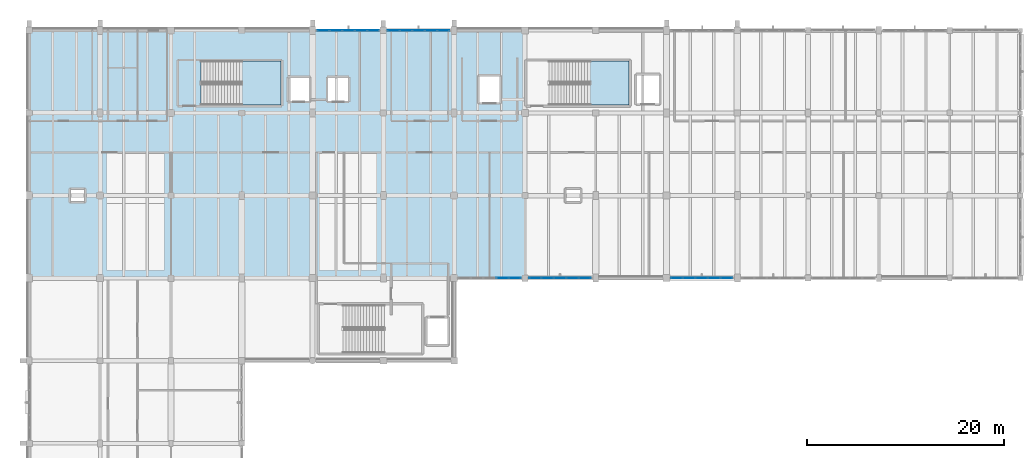
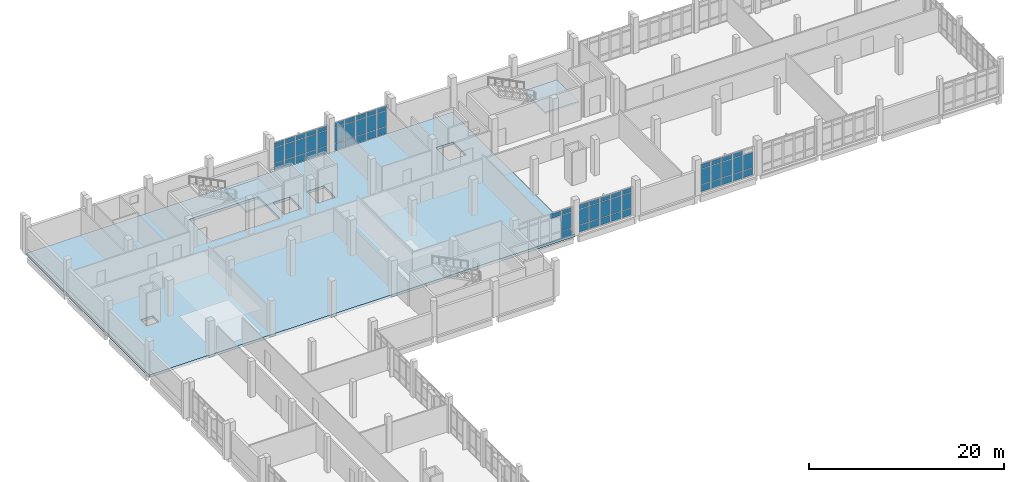
# One storey, part 43 of 57: 63 plates, 3 slabs, 7 elements without a shape of their own.
"""IFC4 building model written with IfcOpenShell, lengths in metres."""

from ifc_helpers import new_model, si_unit, direction, frame, origin, origin_2d, place, context, subcontext, project, spatial, polyline, rectangle, outline, extrude, material, layer, layer_set, type_object, element, aggregate, save


model = new_model("IFC4")

# Units and contexts
model_context = context("Model", 3, precision=1e-05, world=origin(), true_north=direction((0.0, 1.0)))
body_context = subcontext(model_context, "Body", "Model", "MODEL_VIEW")
ifc_project = project(units=[si_unit("LENGTHUNIT", "METRE"), si_unit("AREAUNIT", "SQUARE_METRE"), si_unit("VOLUMEUNIT", "CUBIC_METRE"), si_unit("PLANEANGLEUNIT", "RADIAN"), si_unit("MASSUNIT", "GRAM", prefix="KILO")], contexts=[model_context])

# Site, building, storey
site_placement = place(None, origin())
site = spatial("IfcSite", under=ifc_project, at=site_placement, CompositionType="ELEMENT")
building_placement = place(site_placement, origin())
building = spatial("IfcBuilding", under=site, at=building_placement, Name="Kalluvel Institute of Natural Sciences", CompositionType="ELEMENT")
storey_placement = place(building_placement, frame((0.0, 0.0, 23.39990234375)))
storey = spatial("IfcBuildingStorey", under=building, at=storey_placement, Name="L05", CompositionType="ELEMENT", Elevation=23.39990234375)

# Curtain wall, plates
ifc_material_1 = material(Name="Aluminium AW-6063 T6", Category="aluminium")
curtain_wall_type = type_object("IfcCurtainWallType", Name="CW-WET-45", PredefinedType="USERDEFINED", material=ifc_material_1)
curtain_wall_1_placement = place(storey_placement, origin())
curtain_wall_1 = element("IfcCurtainWall", 1, at=curtain_wall_1_placement, inside=storey, type_object=curtain_wall_type, Name="L05 Gothic lancet curtain wall CWA-L05-X432-Y1280", ObjectType="UNITISED LANCET FACADE", PredefinedType="USERDEFINED")
ifc_material_2 = material(Name="Solar-Control Low-E Laminated Glass", Category="glass")
ifc_layer_1 = layer(ifc_material_2, 0.0400390625)
ifc_layer_set_1 = layer_set([ifc_layer_1], Name="Solar-Control Low-E Laminated Glass")
plate_type = type_object("IfcPlateType", Name="CWP-SPN-40", PredefinedType="CURTAIN_PANEL", material=ifc_layer_set_1)
plate_1_placement = place(storey_placement, frame((43.905029296875, 128.0, 0.0703125), z_axis=(0.0, 0.0, 1.0), x_axis=(1.0, 0.0, 0.0)))
plate_1 = element("IfcPlate", 2, at=plate_1_placement, type_object=plate_type, Name="CW-01 panel 1.1", PredefinedType="CURTAIN_PANEL", context=body_context, shape_type="SweptSolid", body=[
    extrude(rectangle(XDim=1.169921875, YDim=0.0400390625, at=origin_2d()), origin(), (0.0, 0.0, 1.0), 0.844970703125),
])
plate_2_placement = place(storey_placement, frame((43.905029296875, 128.0, 0.9853515625), z_axis=(0.0, 0.0, 1.0), x_axis=(1.0, 0.0, 0.0)))
plate_2 = element("IfcPlate", 3, at=plate_2_placement, type_object=plate_type, Name="CW-01 panel 1.2", PredefinedType="CURTAIN_PANEL", context=body_context, shape_type="SweptSolid", body=[
    extrude(rectangle(XDim=1.169921875, YDim=0.0400390625, at=origin_2d()), origin(), (0.0, 0.0, 1.0), 1.909912109375),
])
plate_3_placement = place(storey_placement, frame((43.905029296875, 128.0, 2.965087890625), z_axis=(0.0, 0.0, 1.0), x_axis=(1.0, 0.0, 0.0)))
plate_3 = element("IfcPlate", 4, at=plate_3_placement, type_object=plate_type, Name="CW-01 panel 1.3", PredefinedType="CURTAIN_PANEL", context=body_context, shape_type="SweptSolid", body=[
    extrude(rectangle(XDim=1.169921875, YDim=0.0400390625, at=origin_2d()), origin(), (0.0, 0.0, 1.0), 0.544921875),
])
plate_4_placement = place(storey_placement, frame((45.16259765625, 128.0, 0.0703125), z_axis=(0.0, 0.0, 1.0), x_axis=(1.0, 0.0, 0.0)))
plate_4 = element("IfcPlate", 5, at=plate_4_placement, type_object=plate_type, Name="CW-01 panel 2.1", PredefinedType="CURTAIN_PANEL", context=body_context, shape_type="SweptSolid", body=[
    extrude(rectangle(XDim=1.205078125, YDim=0.0400390625, at=origin_2d()), origin(), (0.0, 0.0, 1.0), 0.844970703125),
])
plate_5_placement = place(storey_placement, frame((45.16259765625, 128.0, 0.9853515625), z_axis=(0.0, 0.0, 1.0), x_axis=(1.0, 0.0, 0.0)))
plate_5 = element("IfcPlate", 6, at=plate_5_placement, type_object=plate_type, Name="CW-01 panel 2.2", PredefinedType="CURTAIN_PANEL", context=body_context, shape_type="SweptSolid", body=[
    extrude(rectangle(XDim=1.205078125, YDim=0.0400390625, at=origin_2d()), origin(), (0.0, 0.0, 1.0), 1.909912109375),
])
plate_6_placement = place(storey_placement, frame((45.16259765625, 128.0, 2.965087890625), z_axis=(0.0, 0.0, 1.0), x_axis=(1.0, 0.0, 0.0)))
plate_6 = element("IfcPlate", 7, at=plate_6_placement, type_object=plate_type, Name="CW-01 panel 2.3", PredefinedType="CURTAIN_PANEL", context=body_context, shape_type="SweptSolid", body=[
    extrude(rectangle(XDim=1.205078125, YDim=0.0400390625, at=origin_2d()), origin(), (0.0, 0.0, 1.0), 0.544921875),
])
plate_7_placement = place(storey_placement, frame((46.4375, 128.0, 0.0703125), z_axis=(0.0, 0.0, 1.0), x_axis=(1.0, 0.0, 0.0)))
plate_7 = element("IfcPlate", 8, at=plate_7_placement, type_object=plate_type, Name="CW-01 panel 3.1", PredefinedType="CURTAIN_PANEL", context=body_context, shape_type="SweptSolid", body=[
    extrude(rectangle(XDim=1.205078125, YDim=0.0400390625, at=origin_2d()), origin(), (0.0, 0.0, 1.0), 0.844970703125),
])
plate_8_placement = place(storey_placement, frame((46.4375, 128.0, 0.9853515625), z_axis=(0.0, 0.0, 1.0), x_axis=(1.0, 0.0, 0.0)))
plate_8 = element("IfcPlate", 9, at=plate_8_placement, type_object=plate_type, Name="CW-01 panel 3.2", PredefinedType="CURTAIN_PANEL", context=body_context, shape_type="SweptSolid", body=[
    extrude(rectangle(XDim=1.205078125, YDim=0.0400390625, at=origin_2d()), origin(), (0.0, 0.0, 1.0), 1.909912109375),
])
plate_9_placement = place(storey_placement, frame((46.4375, 128.0, 2.965087890625), z_axis=(0.0, 0.0, 1.0), x_axis=(1.0, 0.0, 0.0)))
plate_9 = element("IfcPlate", 10, at=plate_9_placement, type_object=plate_type, Name="CW-01 panel 3.3", PredefinedType="CURTAIN_PANEL", context=body_context, shape_type="SweptSolid", body=[
    extrude(rectangle(XDim=1.205078125, YDim=0.0400390625, at=origin_2d()), origin(), (0.0, 0.0, 1.0), 0.544921875),
])
plate_10_placement = place(storey_placement, frame((47.71240234375, 128.0, 0.0703125), z_axis=(0.0, 0.0, 1.0), x_axis=(1.0, 0.0, 0.0)))
plate_10 = element("IfcPlate", 11, at=plate_10_placement, type_object=plate_type, Name="CW-01 panel 4.1", PredefinedType="CURTAIN_PANEL", context=body_context, shape_type="SweptSolid", body=[
    extrude(rectangle(XDim=1.205078125, YDim=0.0400390625, at=origin_2d()), origin(), (0.0, 0.0, 1.0), 0.844970703125),
])
plate_11_placement = place(storey_placement, frame((47.71240234375, 128.0, 0.9853515625), z_axis=(0.0, 0.0, 1.0), x_axis=(1.0, 0.0, 0.0)))
plate_11 = element("IfcPlate", 12, at=plate_11_placement, type_object=plate_type, Name="CW-01 panel 4.2", PredefinedType="CURTAIN_PANEL", context=body_context, shape_type="SweptSolid", body=[
    extrude(rectangle(XDim=1.205078125, YDim=0.0400390625, at=origin_2d()), origin(), (0.0, 0.0, 1.0), 1.909912109375),
])
plate_12_placement = place(storey_placement, frame((47.71240234375, 128.0, 2.965087890625), z_axis=(0.0, 0.0, 1.0), x_axis=(1.0, 0.0, 0.0)))
plate_12 = element("IfcPlate", 13, at=plate_12_placement, type_object=plate_type, Name="CW-01 panel 4.3", PredefinedType="CURTAIN_PANEL", context=body_context, shape_type="SweptSolid", body=[
    extrude(rectangle(XDim=1.205078125, YDim=0.0400390625, at=origin_2d()), origin(), (0.0, 0.0, 1.0), 0.544921875),
])
plate_13_placement = place(storey_placement, frame((48.969970703125, 128.0, 0.0703125), z_axis=(0.0, 0.0, 1.0), x_axis=(1.0, 0.0, 0.0)))
plate_13 = element("IfcPlate", 14, at=plate_13_placement, type_object=plate_type, Name="CW-01 panel 5.1", PredefinedType="CURTAIN_PANEL", context=body_context, shape_type="SweptSolid", body=[
    extrude(rectangle(XDim=1.169921875, YDim=0.0400390625, at=origin_2d()), origin(), (0.0, 0.0, 1.0), 0.844970703125),
])
plate_14_placement = place(storey_placement, frame((48.969970703125, 128.0, 0.9853515625), z_axis=(0.0, 0.0, 1.0), x_axis=(1.0, 0.0, 0.0)))
plate_14 = element("IfcPlate", 15, at=plate_14_placement, type_object=plate_type, Name="CW-01 panel 5.2", PredefinedType="CURTAIN_PANEL", context=body_context, shape_type="SweptSolid", body=[
    extrude(rectangle(XDim=1.169921875, YDim=0.0400390625, at=origin_2d()), origin(), (0.0, 0.0, 1.0), 1.909912109375),
])
plate_15_placement = place(storey_placement, frame((48.969970703125, 128.0, 2.965087890625), z_axis=(0.0, 0.0, 1.0), x_axis=(1.0, 0.0, 0.0)))
plate_15 = element("IfcPlate", 16, at=plate_15_placement, type_object=plate_type, Name="CW-01 panel 5.3", PredefinedType="CURTAIN_PANEL", context=body_context, shape_type="SweptSolid", body=[
    extrude(rectangle(XDim=1.169921875, YDim=0.0400390625, at=origin_2d()), origin(), (0.0, 0.0, 1.0), 0.544921875),
])
aggregate(curtain_wall_1, [plate_1, plate_2, plate_3, plate_4, plate_5, plate_6, plate_7, plate_8, plate_9, plate_10, plate_11, plate_12, plate_13, plate_14, plate_15])

curtain_wall_2_placement = place(storey_placement, origin())
curtain_wall_2 = element("IfcCurtainWall", 17, at=curtain_wall_2_placement, inside=storey, type_object=curtain_wall_type, Name="L05 Gothic lancet curtain wall CWA-L05-X504-Y1280", ObjectType="UNITISED LANCET FACADE", PredefinedType="USERDEFINED")
plate_16_placement = place(storey_placement, frame((51.030029296875, 128.0, 0.0703125), z_axis=(0.0, 0.0, 1.0), x_axis=(1.0, 0.0, 0.0)))
plate_16 = element("IfcPlate", 18, at=plate_16_placement, type_object=plate_type, Name="CW-01 panel 1.1", PredefinedType="CURTAIN_PANEL", context=body_context, shape_type="SweptSolid", body=[
    extrude(rectangle(XDim=1.169921875, YDim=0.0400390625, at=origin_2d()), origin(), (0.0, 0.0, 1.0), 0.844970703125),
])
plate_17_placement = place(storey_placement, frame((51.030029296875, 128.0, 0.9853515625), z_axis=(0.0, 0.0, 1.0), x_axis=(1.0, 0.0, 0.0)))
plate_17 = element("IfcPlate", 19, at=plate_17_placement, type_object=plate_type, Name="CW-01 panel 1.2", PredefinedType="CURTAIN_PANEL", context=body_context, shape_type="SweptSolid", body=[
    extrude(rectangle(XDim=1.169921875, YDim=0.0400390625, at=origin_2d()), origin(), (0.0, 0.0, 1.0), 1.909912109375),
])
plate_18_placement = place(storey_placement, frame((51.030029296875, 128.0, 2.965087890625), z_axis=(0.0, 0.0, 1.0), x_axis=(1.0, 0.0, 0.0)))
plate_18 = element("IfcPlate", 20, at=plate_18_placement, type_object=plate_type, Name="CW-01 panel 1.3", PredefinedType="CURTAIN_PANEL", context=body_context, shape_type="SweptSolid", body=[
    extrude(rectangle(XDim=1.169921875, YDim=0.0400390625, at=origin_2d()), origin(), (0.0, 0.0, 1.0), 0.544921875),
])
plate_19_placement = place(storey_placement, frame((52.28759765625, 128.0, 0.0703125), z_axis=(0.0, 0.0, 1.0), x_axis=(1.0, 0.0, 0.0)))
plate_19 = element("IfcPlate", 21, at=plate_19_placement, type_object=plate_type, Name="CW-01 panel 2.1", PredefinedType="CURTAIN_PANEL", context=body_context, shape_type="SweptSolid", body=[
    extrude(rectangle(XDim=1.205078125, YDim=0.0400390625, at=origin_2d()), origin(), (0.0, 0.0, 1.0), 0.844970703125),
])
plate_20_placement = place(storey_placement, frame((52.28759765625, 128.0, 0.9853515625), z_axis=(0.0, 0.0, 1.0), x_axis=(1.0, 0.0, 0.0)))
plate_20 = element("IfcPlate", 22, at=plate_20_placement, type_object=plate_type, Name="CW-01 panel 2.2", PredefinedType="CURTAIN_PANEL", context=body_context, shape_type="SweptSolid", body=[
    extrude(rectangle(XDim=1.205078125, YDim=0.0400390625, at=origin_2d()), origin(), (0.0, 0.0, 1.0), 1.909912109375),
])
plate_21_placement = place(storey_placement, frame((52.28759765625, 128.0, 2.965087890625), z_axis=(0.0, 0.0, 1.0), x_axis=(1.0, 0.0, 0.0)))
plate_21 = element("IfcPlate", 23, at=plate_21_placement, type_object=plate_type, Name="CW-01 panel 2.3", PredefinedType="CURTAIN_PANEL", context=body_context, shape_type="SweptSolid", body=[
    extrude(rectangle(XDim=1.205078125, YDim=0.0400390625, at=origin_2d()), origin(), (0.0, 0.0, 1.0), 0.544921875),
])
plate_22_placement = place(storey_placement, frame((53.5625, 128.0, 0.0703125), z_axis=(0.0, 0.0, 1.0), x_axis=(1.0, 0.0, 0.0)))
plate_22 = element("IfcPlate", 24, at=plate_22_placement, type_object=plate_type, Name="CW-01 panel 3.1", PredefinedType="CURTAIN_PANEL", context=body_context, shape_type="SweptSolid", body=[
    extrude(rectangle(XDim=1.205078125, YDim=0.0400390625, at=origin_2d()), origin(), (0.0, 0.0, 1.0), 0.844970703125),
])
plate_23_placement = place(storey_placement, frame((53.5625, 128.0, 0.9853515625), z_axis=(0.0, 0.0, 1.0), x_axis=(1.0, 0.0, 0.0)))
plate_23 = element("IfcPlate", 25, at=plate_23_placement, type_object=plate_type, Name="CW-01 panel 3.2", PredefinedType="CURTAIN_PANEL", context=body_context, shape_type="SweptSolid", body=[
    extrude(rectangle(XDim=1.205078125, YDim=0.0400390625, at=origin_2d()), origin(), (0.0, 0.0, 1.0), 1.909912109375),
])
plate_24_placement = place(storey_placement, frame((53.5625, 128.0, 2.965087890625), z_axis=(0.0, 0.0, 1.0), x_axis=(1.0, 0.0, 0.0)))
plate_24 = element("IfcPlate", 26, at=plate_24_placement, type_object=plate_type, Name="CW-01 panel 3.3", PredefinedType="CURTAIN_PANEL", context=body_context, shape_type="SweptSolid", body=[
    extrude(rectangle(XDim=1.205078125, YDim=0.0400390625, at=origin_2d()), origin(), (0.0, 0.0, 1.0), 0.544921875),
])
plate_25_placement = place(storey_placement, frame((54.83740234375, 128.0, 0.0703125), z_axis=(0.0, 0.0, 1.0), x_axis=(1.0, 0.0, 0.0)))
plate_25 = element("IfcPlate", 27, at=plate_25_placement, type_object=plate_type, Name="CW-01 panel 4.1", PredefinedType="CURTAIN_PANEL", context=body_context, shape_type="SweptSolid", body=[
    extrude(rectangle(XDim=1.205078125, YDim=0.0400390625, at=origin_2d()), origin(), (0.0, 0.0, 1.0), 0.844970703125),
])
plate_26_placement = place(storey_placement, frame((54.83740234375, 128.0, 0.9853515625), z_axis=(0.0, 0.0, 1.0), x_axis=(1.0, 0.0, 0.0)))
plate_26 = element("IfcPlate", 28, at=plate_26_placement, type_object=plate_type, Name="CW-01 panel 4.2", PredefinedType="CURTAIN_PANEL", context=body_context, shape_type="SweptSolid", body=[
    extrude(rectangle(XDim=1.205078125, YDim=0.0400390625, at=origin_2d()), origin(), (0.0, 0.0, 1.0), 1.909912109375),
])
plate_27_placement = place(storey_placement, frame((54.83740234375, 128.0, 2.965087890625), z_axis=(0.0, 0.0, 1.0), x_axis=(1.0, 0.0, 0.0)))
plate_27 = element("IfcPlate", 29, at=plate_27_placement, type_object=plate_type, Name="CW-01 panel 4.3", PredefinedType="CURTAIN_PANEL", context=body_context, shape_type="SweptSolid", body=[
    extrude(rectangle(XDim=1.205078125, YDim=0.0400390625, at=origin_2d()), origin(), (0.0, 0.0, 1.0), 0.544921875),
])
plate_28_placement = place(storey_placement, frame((56.094970703125, 128.0, 0.0703125), z_axis=(0.0, 0.0, 1.0), x_axis=(1.0, 0.0, 0.0)))
plate_28 = element("IfcPlate", 30, at=plate_28_placement, type_object=plate_type, Name="CW-01 panel 5.1", PredefinedType="CURTAIN_PANEL", context=body_context, shape_type="SweptSolid", body=[
    extrude(rectangle(XDim=1.169921875, YDim=0.0400390625, at=origin_2d()), origin(), (0.0, 0.0, 1.0), 0.844970703125),
])
plate_29_placement = place(storey_placement, frame((56.094970703125, 128.0, 0.9853515625), z_axis=(0.0, 0.0, 1.0), x_axis=(1.0, 0.0, 0.0)))
plate_29 = element("IfcPlate", 31, at=plate_29_placement, type_object=plate_type, Name="CW-01 panel 5.2", PredefinedType="CURTAIN_PANEL", context=body_context, shape_type="SweptSolid", body=[
    extrude(rectangle(XDim=1.169921875, YDim=0.0400390625, at=origin_2d()), origin(), (0.0, 0.0, 1.0), 1.909912109375),
])
plate_30_placement = place(storey_placement, frame((56.094970703125, 128.0, 2.965087890625), z_axis=(0.0, 0.0, 1.0), x_axis=(1.0, 0.0, 0.0)))
plate_30 = element("IfcPlate", 32, at=plate_30_placement, type_object=plate_type, Name="CW-01 panel 5.3", PredefinedType="CURTAIN_PANEL", context=body_context, shape_type="SweptSolid", body=[
    extrude(rectangle(XDim=1.169921875, YDim=0.0400390625, at=origin_2d()), origin(), (0.0, 0.0, 1.0), 0.544921875),
])
aggregate(curtain_wall_2, [plate_16, plate_17, plate_18, plate_19, plate_20, plate_21, plate_22, plate_23, plate_24, plate_25, plate_26, plate_27, plate_28, plate_29, plate_30])

curtain_wall_3_placement = place(storey_placement, origin())
curtain_wall_3 = element("IfcCurtainWall", 33, at=curtain_wall_3_placement, inside=storey, type_object=curtain_wall_type, Name="L05 Gothic lancet curtain wall CWA-L05-X576-Y1028", ObjectType="UNITISED LANCET FACADE", PredefinedType="USERDEFINED")
plate_31_placement = place(storey_placement, frame((62.097412109375, 102.800048828125, 2.965087890625), z_axis=(0.0, 0.0, 1.0), x_axis=(1.0, 0.0, 0.0)))
plate_31 = element("IfcPlate", 34, at=plate_31_placement, type_object=plate_type, Name="CW-01 panel 4.3", PredefinedType="CURTAIN_PANEL", context=body_context, shape_type="SweptSolid", body=[
    extrude(rectangle(XDim=1.215087890625, YDim=0.0400390625, at=origin_2d()), origin(), (0.0, 0.0, 1.0), 0.544921875),
])
plate_32_placement = place(storey_placement, frame((63.364990234375, 102.800048828125, 0.0703125), z_axis=(0.0, 0.0, 1.0), x_axis=(1.0, 0.0, 0.0)))
plate_32 = element("IfcPlate", 35, at=plate_32_placement, type_object=plate_type, Name="CW-01 panel 5.1", PredefinedType="CURTAIN_PANEL", context=body_context, shape_type="SweptSolid", body=[
    extrude(rectangle(XDim=1.179931640625, YDim=0.0400390625, at=origin_2d()), origin(), (0.0, 0.0, 1.0), 0.844970703125),
])
plate_33_placement = place(storey_placement, frame((63.364990234375, 102.800048828125, 0.9853515625), z_axis=(0.0, 0.0, 1.0), x_axis=(1.0, 0.0, 0.0)))
plate_33 = element("IfcPlate", 36, at=plate_33_placement, type_object=plate_type, Name="CW-01 panel 5.2", PredefinedType="CURTAIN_PANEL", context=body_context, shape_type="SweptSolid", body=[
    extrude(rectangle(XDim=1.179931640625, YDim=0.0400390625, at=origin_2d()), origin(), (0.0, 0.0, 1.0), 1.909912109375),
])
plate_34_placement = place(storey_placement, frame((63.364990234375, 102.800048828125, 2.965087890625), z_axis=(0.0, 0.0, 1.0), x_axis=(1.0, 0.0, 0.0)))
plate_34 = element("IfcPlate", 37, at=plate_34_placement, type_object=plate_type, Name="CW-01 panel 5.3", PredefinedType="CURTAIN_PANEL", context=body_context, shape_type="SweptSolid", body=[
    extrude(rectangle(XDim=1.179931640625, YDim=0.0400390625, at=origin_2d()), origin(), (0.0, 0.0, 1.0), 0.544921875),
])
aggregate(curtain_wall_3, [plate_31, plate_32, plate_33, plate_34])

curtain_wall_4_placement = place(storey_placement, origin())
curtain_wall_4 = element("IfcCurtainWall", 38, at=curtain_wall_4_placement, inside=storey, type_object=curtain_wall_type, Name="L05 Gothic lancet curtain wall CWA-L05-X648-Y1028", ObjectType="UNITISED LANCET FACADE", PredefinedType="USERDEFINED")
plate_35_placement = place(storey_placement, frame((65.429931640625, 102.800048828125, 0.0703125), z_axis=(0.0, 0.0, 1.0), x_axis=(1.0, 0.0, 0.0)))
plate_35 = element("IfcPlate", 39, at=plate_35_placement, type_object=plate_type, Name="CW-01 panel 1.1", PredefinedType="CURTAIN_PANEL", context=body_context, shape_type="SweptSolid", body=[
    extrude(rectangle(XDim=1.169921875, YDim=0.0400390625, at=origin_2d()), origin(), (0.0, 0.0, 1.0), 0.844970703125),
])
plate_36_placement = place(storey_placement, frame((65.429931640625, 102.800048828125, 0.9853515625), z_axis=(0.0, 0.0, 1.0), x_axis=(1.0, 0.0, 0.0)))
plate_36 = element("IfcPlate", 40, at=plate_36_placement, type_object=plate_type, Name="CW-01 panel 1.2", PredefinedType="CURTAIN_PANEL", context=body_context, shape_type="SweptSolid", body=[
    extrude(rectangle(XDim=1.169921875, YDim=0.0400390625, at=origin_2d()), origin(), (0.0, 0.0, 1.0), 1.909912109375),
])
plate_37_placement = place(storey_placement, frame((65.429931640625, 102.800048828125, 2.965087890625), z_axis=(0.0, 0.0, 1.0), x_axis=(1.0, 0.0, 0.0)))
plate_37 = element("IfcPlate", 41, at=plate_37_placement, type_object=plate_type, Name="CW-01 panel 1.3", PredefinedType="CURTAIN_PANEL", context=body_context, shape_type="SweptSolid", body=[
    extrude(rectangle(XDim=1.169921875, YDim=0.0400390625, at=origin_2d()), origin(), (0.0, 0.0, 1.0), 0.544921875),
])
plate_38_placement = place(storey_placement, frame((66.6875, 102.800048828125, 0.0703125), z_axis=(0.0, 0.0, 1.0), x_axis=(1.0, 0.0, 0.0)))
plate_38 = element("IfcPlate", 42, at=plate_38_placement, type_object=plate_type, Name="CW-01 panel 2.1", PredefinedType="CURTAIN_PANEL", context=body_context, shape_type="SweptSolid", body=[
    extrude(rectangle(XDim=1.205078125, YDim=0.0400390625, at=origin_2d()), origin(), (0.0, 0.0, 1.0), 0.844970703125),
])
plate_39_placement = place(storey_placement, frame((66.6875, 102.800048828125, 0.9853515625), z_axis=(0.0, 0.0, 1.0), x_axis=(1.0, 0.0, 0.0)))
plate_39 = element("IfcPlate", 43, at=plate_39_placement, type_object=plate_type, Name="CW-01 panel 2.2", PredefinedType="CURTAIN_PANEL", context=body_context, shape_type="SweptSolid", body=[
    extrude(rectangle(XDim=1.205078125, YDim=0.0400390625, at=origin_2d()), origin(), (0.0, 0.0, 1.0), 1.909912109375),
])
plate_40_placement = place(storey_placement, frame((66.6875, 102.800048828125, 2.965087890625), z_axis=(0.0, 0.0, 1.0), x_axis=(1.0, 0.0, 0.0)))
plate_40 = element("IfcPlate", 44, at=plate_40_placement, type_object=plate_type, Name="CW-01 panel 2.3", PredefinedType="CURTAIN_PANEL", context=body_context, shape_type="SweptSolid", body=[
    extrude(rectangle(XDim=1.205078125, YDim=0.0400390625, at=origin_2d()), origin(), (0.0, 0.0, 1.0), 0.544921875),
])
plate_41_placement = place(storey_placement, frame((67.96240234375, 102.800048828125, 0.0703125), z_axis=(0.0, 0.0, 1.0), x_axis=(1.0, 0.0, 0.0)))
plate_41 = element("IfcPlate", 45, at=plate_41_placement, type_object=plate_type, Name="CW-01 panel 3.1", PredefinedType="CURTAIN_PANEL", context=body_context, shape_type="SweptSolid", body=[
    extrude(rectangle(XDim=1.205078125, YDim=0.0400390625, at=origin_2d()), origin(), (0.0, 0.0, 1.0), 0.844970703125),
])
plate_42_placement = place(storey_placement, frame((67.96240234375, 102.800048828125, 0.9853515625), z_axis=(0.0, 0.0, 1.0), x_axis=(1.0, 0.0, 0.0)))
plate_42 = element("IfcPlate", 46, at=plate_42_placement, type_object=plate_type, Name="CW-01 panel 3.2", PredefinedType="CURTAIN_PANEL", context=body_context, shape_type="SweptSolid", body=[
    extrude(rectangle(XDim=1.205078125, YDim=0.0400390625, at=origin_2d()), origin(), (0.0, 0.0, 1.0), 1.909912109375),
])
plate_43_placement = place(storey_placement, frame((67.96240234375, 102.800048828125, 2.965087890625), z_axis=(0.0, 0.0, 1.0), x_axis=(1.0, 0.0, 0.0)))
plate_43 = element("IfcPlate", 47, at=plate_43_placement, type_object=plate_type, Name="CW-01 panel 3.3", PredefinedType="CURTAIN_PANEL", context=body_context, shape_type="SweptSolid", body=[
    extrude(rectangle(XDim=1.205078125, YDim=0.0400390625, at=origin_2d()), origin(), (0.0, 0.0, 1.0), 0.544921875),
])
plate_44_placement = place(storey_placement, frame((69.237548828125, 102.800048828125, 0.0703125), z_axis=(0.0, 0.0, 1.0), x_axis=(1.0, 0.0, 0.0)))
plate_44 = element("IfcPlate", 48, at=plate_44_placement, type_object=plate_type, Name="CW-01 panel 4.1", PredefinedType="CURTAIN_PANEL", context=body_context, shape_type="SweptSolid", body=[
    extrude(rectangle(XDim=1.205078125, YDim=0.0400390625, at=origin_2d()), origin(), (0.0, 0.0, 1.0), 0.844970703125),
])
plate_45_placement = place(storey_placement, frame((69.237548828125, 102.800048828125, 0.9853515625), z_axis=(0.0, 0.0, 1.0), x_axis=(1.0, 0.0, 0.0)))
plate_45 = element("IfcPlate", 49, at=plate_45_placement, type_object=plate_type, Name="CW-01 panel 4.2", PredefinedType="CURTAIN_PANEL", context=body_context, shape_type="SweptSolid", body=[
    extrude(rectangle(XDim=1.205078125, YDim=0.0400390625, at=origin_2d()), origin(), (0.0, 0.0, 1.0), 1.909912109375),
])
plate_46_placement = place(storey_placement, frame((69.237548828125, 102.800048828125, 2.965087890625), z_axis=(0.0, 0.0, 1.0), x_axis=(1.0, 0.0, 0.0)))
plate_46 = element("IfcPlate", 50, at=plate_46_placement, type_object=plate_type, Name="CW-01 panel 4.3", PredefinedType="CURTAIN_PANEL", context=body_context, shape_type="SweptSolid", body=[
    extrude(rectangle(XDim=1.205078125, YDim=0.0400390625, at=origin_2d()), origin(), (0.0, 0.0, 1.0), 0.544921875),
])
plate_47_placement = place(storey_placement, frame((70.4951171875, 102.800048828125, 0.0703125), z_axis=(0.0, 0.0, 1.0), x_axis=(1.0, 0.0, 0.0)))
plate_47 = element("IfcPlate", 51, at=plate_47_placement, type_object=plate_type, Name="CW-01 panel 5.1", PredefinedType="CURTAIN_PANEL", context=body_context, shape_type="SweptSolid", body=[
    extrude(rectangle(XDim=1.169921875, YDim=0.0400390625, at=origin_2d()), origin(), (0.0, 0.0, 1.0), 0.844970703125),
])
plate_48_placement = place(storey_placement, frame((70.4951171875, 102.800048828125, 0.9853515625), z_axis=(0.0, 0.0, 1.0), x_axis=(1.0, 0.0, 0.0)))
plate_48 = element("IfcPlate", 52, at=plate_48_placement, type_object=plate_type, Name="CW-01 panel 5.2", PredefinedType="CURTAIN_PANEL", context=body_context, shape_type="SweptSolid", body=[
    extrude(rectangle(XDim=1.169921875, YDim=0.0400390625, at=origin_2d()), origin(), (0.0, 0.0, 1.0), 1.909912109375),
])
plate_49_placement = place(storey_placement, frame((70.4951171875, 102.800048828125, 2.965087890625), z_axis=(0.0, 0.0, 1.0), x_axis=(1.0, 0.0, 0.0)))
plate_49 = element("IfcPlate", 53, at=plate_49_placement, type_object=plate_type, Name="CW-01 panel 5.3", PredefinedType="CURTAIN_PANEL", context=body_context, shape_type="SweptSolid", body=[
    extrude(rectangle(XDim=1.169921875, YDim=0.0400390625, at=origin_2d()), origin(), (0.0, 0.0, 1.0), 0.544921875),
])
aggregate(curtain_wall_4, [plate_35, plate_36, plate_37, plate_38, plate_39, plate_40, plate_41, plate_42, plate_43, plate_44, plate_45, plate_46, plate_47, plate_48, plate_49])

curtain_wall_5_placement = place(storey_placement, origin())
curtain_wall_5 = element("IfcCurtainWall", 54, at=curtain_wall_5_placement, inside=storey, type_object=curtain_wall_type, Name="L05 Gothic lancet curtain wall CWA-L05-X792-Y1028", ObjectType="UNITISED LANCET FACADE", PredefinedType="USERDEFINED")
plate_50_placement = place(storey_placement, frame((79.8525390625, 102.800048828125, 0.0703125), z_axis=(0.0, 0.0, 1.0), x_axis=(1.0, 0.0, 0.0)))
plate_50 = element("IfcPlate", 55, at=plate_50_placement, type_object=plate_type, Name="CW-01 panel 1.1", PredefinedType="CURTAIN_PANEL", context=body_context, shape_type="SweptSolid", body=[
    extrude(rectangle(XDim=1.1650390625, YDim=0.0400390625, at=origin_2d()), origin(), (0.0, 0.0, 1.0), 0.844970703125),
])
plate_51_placement = place(storey_placement, frame((79.8525390625, 102.800048828125, 0.9853515625), z_axis=(0.0, 0.0, 1.0), x_axis=(1.0, 0.0, 0.0)))
plate_51 = element("IfcPlate", 56, at=plate_51_placement, type_object=plate_type, Name="CW-01 panel 1.2", PredefinedType="CURTAIN_PANEL", context=body_context, shape_type="SweptSolid", body=[
    extrude(rectangle(XDim=1.1650390625, YDim=0.0400390625, at=origin_2d()), origin(), (0.0, 0.0, 1.0), 1.909912109375),
])
plate_52_placement = place(storey_placement, frame((79.8525390625, 102.800048828125, 2.965087890625), z_axis=(0.0, 0.0, 1.0), x_axis=(1.0, 0.0, 0.0)))
plate_52 = element("IfcPlate", 57, at=plate_52_placement, type_object=plate_type, Name="CW-01 panel 1.3", PredefinedType="CURTAIN_PANEL", context=body_context, shape_type="SweptSolid", body=[
    extrude(rectangle(XDim=1.1650390625, YDim=0.0400390625, at=origin_2d()), origin(), (0.0, 0.0, 1.0), 0.544921875),
])
plate_53_placement = place(storey_placement, frame((81.10498046875, 102.800048828125, 0.0703125), z_axis=(0.0, 0.0, 1.0), x_axis=(1.0, 0.0, 0.0)))
plate_53 = element("IfcPlate", 58, at=plate_53_placement, type_object=plate_type, Name="CW-01 panel 2.1", PredefinedType="CURTAIN_PANEL", context=body_context, shape_type="SweptSolid", body=[
    extrude(rectangle(XDim=1.199951171875, YDim=0.0400390625, at=origin_2d()), origin(), (0.0, 0.0, 1.0), 0.844970703125),
])
plate_54_placement = place(storey_placement, frame((81.10498046875, 102.800048828125, 0.9853515625), z_axis=(0.0, 0.0, 1.0), x_axis=(1.0, 0.0, 0.0)))
plate_54 = element("IfcPlate", 59, at=plate_54_placement, type_object=plate_type, Name="CW-01 panel 2.2", PredefinedType="CURTAIN_PANEL", context=body_context, shape_type="SweptSolid", body=[
    extrude(rectangle(XDim=1.199951171875, YDim=0.0400390625, at=origin_2d()), origin(), (0.0, 0.0, 1.0), 1.909912109375),
])
plate_55_placement = place(storey_placement, frame((81.10498046875, 102.800048828125, 2.965087890625), z_axis=(0.0, 0.0, 1.0), x_axis=(1.0, 0.0, 0.0)))
plate_55 = element("IfcPlate", 60, at=plate_55_placement, type_object=plate_type, Name="CW-01 panel 2.3", PredefinedType="CURTAIN_PANEL", context=body_context, shape_type="SweptSolid", body=[
    extrude(rectangle(XDim=1.199951171875, YDim=0.0400390625, at=origin_2d()), origin(), (0.0, 0.0, 1.0), 0.544921875),
])
plate_56_placement = place(storey_placement, frame((82.375, 102.800048828125, 0.0703125), z_axis=(0.0, 0.0, 1.0), x_axis=(1.0, 0.0, 0.0)))
plate_56 = element("IfcPlate", 61, at=plate_56_placement, type_object=plate_type, Name="CW-01 panel 3.1", PredefinedType="CURTAIN_PANEL", context=body_context, shape_type="SweptSolid", body=[
    extrude(rectangle(XDim=1.199951171875, YDim=0.0400390625, at=origin_2d()), origin(), (0.0, 0.0, 1.0), 0.844970703125),
])
plate_57_placement = place(storey_placement, frame((82.375, 102.800048828125, 0.9853515625), z_axis=(0.0, 0.0, 1.0), x_axis=(1.0, 0.0, 0.0)))
plate_57 = element("IfcPlate", 62, at=plate_57_placement, type_object=plate_type, Name="CW-01 panel 3.2", PredefinedType="CURTAIN_PANEL", context=body_context, shape_type="SweptSolid", body=[
    extrude(rectangle(XDim=1.199951171875, YDim=0.0400390625, at=origin_2d()), origin(), (0.0, 0.0, 1.0), 1.909912109375),
])
plate_58_placement = place(storey_placement, frame((82.375, 102.800048828125, 2.965087890625), z_axis=(0.0, 0.0, 1.0), x_axis=(1.0, 0.0, 0.0)))
plate_58 = element("IfcPlate", 63, at=plate_58_placement, type_object=plate_type, Name="CW-01 panel 3.3", PredefinedType="CURTAIN_PANEL", context=body_context, shape_type="SweptSolid", body=[
    extrude(rectangle(XDim=1.199951171875, YDim=0.0400390625, at=origin_2d()), origin(), (0.0, 0.0, 1.0), 0.544921875),
])
plate_59_placement = place(storey_placement, frame((83.64501953125, 102.800048828125, 0.0703125), z_axis=(0.0, 0.0, 1.0), x_axis=(1.0, 0.0, 0.0)))
plate_59 = element("IfcPlate", 64, at=plate_59_placement, type_object=plate_type, Name="CW-01 panel 4.1", PredefinedType="CURTAIN_PANEL", context=body_context, shape_type="SweptSolid", body=[
    extrude(rectangle(XDim=1.199951171875, YDim=0.0400390625, at=origin_2d()), origin(), (0.0, 0.0, 1.0), 0.844970703125),
])
plate_60_placement = place(storey_placement, frame((83.64501953125, 102.800048828125, 0.9853515625), z_axis=(0.0, 0.0, 1.0), x_axis=(1.0, 0.0, 0.0)))
plate_60 = element("IfcPlate", 65, at=plate_60_placement, type_object=plate_type, Name="CW-01 panel 4.2", PredefinedType="CURTAIN_PANEL", context=body_context, shape_type="SweptSolid", body=[
    extrude(rectangle(XDim=1.199951171875, YDim=0.0400390625, at=origin_2d()), origin(), (0.0, 0.0, 1.0), 1.909912109375),
])
plate_61_placement = place(storey_placement, frame((83.64501953125, 102.800048828125, 2.965087890625), z_axis=(0.0, 0.0, 1.0), x_axis=(1.0, 0.0, 0.0)))
plate_61 = element("IfcPlate", 66, at=plate_61_placement, type_object=plate_type, Name="CW-01 panel 4.3", PredefinedType="CURTAIN_PANEL", context=body_context, shape_type="SweptSolid", body=[
    extrude(rectangle(XDim=1.199951171875, YDim=0.0400390625, at=origin_2d()), origin(), (0.0, 0.0, 1.0), 0.544921875),
])
plate_62_placement = place(storey_placement, frame((84.8974609375, 102.800048828125, 0.0703125), z_axis=(0.0, 0.0, 1.0), x_axis=(1.0, 0.0, 0.0)))
plate_62 = element("IfcPlate", 67, at=plate_62_placement, type_object=plate_type, Name="CW-01 panel 5.1", PredefinedType="CURTAIN_PANEL", context=body_context, shape_type="SweptSolid", body=[
    extrude(rectangle(XDim=1.1650390625, YDim=0.0400390625, at=origin_2d()), origin(), (0.0, 0.0, 1.0), 0.844970703125),
])
plate_63_placement = place(storey_placement, frame((84.8974609375, 102.800048828125, 0.9853515625), z_axis=(0.0, 0.0, 1.0), x_axis=(1.0, 0.0, 0.0)))
plate_63 = element("IfcPlate", 68, at=plate_63_placement, type_object=plate_type, Name="CW-01 panel 5.2", PredefinedType="CURTAIN_PANEL", context=body_context, shape_type="SweptSolid", body=[
    extrude(rectangle(XDim=1.1650390625, YDim=0.0400390625, at=origin_2d()), origin(), (0.0, 0.0, 1.0), 1.909912109375),
])
aggregate(curtain_wall_5, [plate_50, plate_51, plate_52, plate_53, plate_54, plate_55, plate_56, plate_57, plate_58, plate_59, plate_60, plate_61, plate_62, plate_63])

# Slab
ifc_material_3 = material(Name="Concrete M40", Category="concrete")
ifc_layer_2 = layer(ifc_material_3, 0.320068359375)
ifc_layer_set_2 = layer_set([ifc_layer_2], Name="Concrete M40")
slab_type_1 = type_object("IfcSlabType", Name="SLB-WET-320", PredefinedType="FLOOR", material=ifc_layer_set_2)
slab_1_placement = place(storey_placement, frame((0.0, 0.0, -0.31982421875)))
element("IfcSlab", 69, at=slab_1_placement, inside=storey, type_object=slab_type_1, Name="L05 Wet Laboratory Waffle Floor Slab W", PredefinedType="FLOOR", context=body_context, shape_type="SweptSolid", body=[
    extrude(outline(polyline([(14.0, 102.800048828125), (64.39990234375, 102.800048828125), (64.39990234375, 128.0), (14.0, 128.0), (14.0, 102.800048828125)]), holes=[polyline([(61.820068359375, 120.679931640625), (59.780029296875, 120.679931640625), (59.780029296875, 123.320068359375), (61.820068359375, 123.320068359375), (61.820068359375, 120.679931640625)]), polyline([(46.419921875, 123.169921875), (46.419921875, 120.830078125), (44.3798828125, 120.830078125), (44.3798828125, 123.169921875), (46.419921875, 123.169921875)]), polyline([(42.419921875, 123.169921875), (42.419921875, 120.830078125), (40.3798828125, 120.830078125), (40.3798828125, 123.169921875), (42.419921875, 123.169921875)]), polyline([(39.60009765625, 120.39990234375), (31.468017578125, 120.39990234375), (31.468017578125, 124.8701171875), (39.60009765625, 124.8701171875), (39.60009765625, 120.39990234375)]), polyline([(19.60009765625, 111.800048828125), (19.60009765625, 110.60009765625), (18.199951171875, 110.60009765625), (18.199951171875, 111.800048828125), (19.60009765625, 111.800048828125)])]), origin(), (0.0, 0.0, 1.0), 0.31982421875),
])

# Stair, slab
stair_type = type_object("IfcStairType", Name="STR-ST12-45", PredefinedType="HALF_TURN_STAIR", material=ifc_material_3)
stair_1_placement = place(storey_placement, origin())
stair_1 = element("IfcStair", 70, at=stair_1_placement, inside=storey, type_object=stair_type, Name="L05 Wet Wing West Protected Exit Stair ST1", PredefinedType="HALF_TURN_STAIR")
ifc_layer_3 = layer(ifc_material_3, 0.199951171875)
ifc_layer_set_3 = layer_set([ifc_layer_3], Name="Concrete M40")
slab_type_2 = type_object("IfcSlabType", Name="SLD-ST12", PredefinedType="LANDING", material=ifc_layer_set_3)
slab_2_placement = place(storey_placement, frame((0.0, 0.0, 2.050048828125)))
slab_2 = element("IfcSlab", 71, at=slab_2_placement, type_object=slab_type_2, Name="S1-45 landing 1", PredefinedType="LANDING", context=body_context, shape_type="SweptSolid", body=[
    extrude(outline(polyline([(35.632080078125, 120.39990234375), (39.60009765625, 120.39990234375), (39.60009765625, 124.8701171875), (35.632080078125, 124.8701171875), (35.632080078125, 120.39990234375)])), origin(), (0.0, 0.0, 1.0), 0.199951171875),
])
aggregate(stair_1, [slab_2])

stair_2_placement = place(storey_placement, origin())
stair_2 = element("IfcStair", 72, at=stair_2_placement, inside=storey, type_object=stair_type, Name="L05 Wet Wing East Protected Exit Stair ST2", PredefinedType="HALF_TURN_STAIR")
slab_3_placement = place(storey_placement, frame((0.0, 0.0, 2.050048828125)))
slab_3 = element("IfcSlab", 73, at=slab_3_placement, type_object=slab_type_2, Name="S1-45 landing 1", PredefinedType="LANDING", context=body_context, shape_type="SweptSolid", body=[
    extrude(outline(polyline([(71.031982421875, 120.39990234375), (75.0, 120.39990234375), (75.0, 124.8701171875), (71.031982421875, 124.8701171875), (71.031982421875, 120.39990234375)])), origin(), (0.0, 0.0, 1.0), 0.199951171875),
])
aggregate(stair_2, [slab_3])

save(model, "model.ifc")
